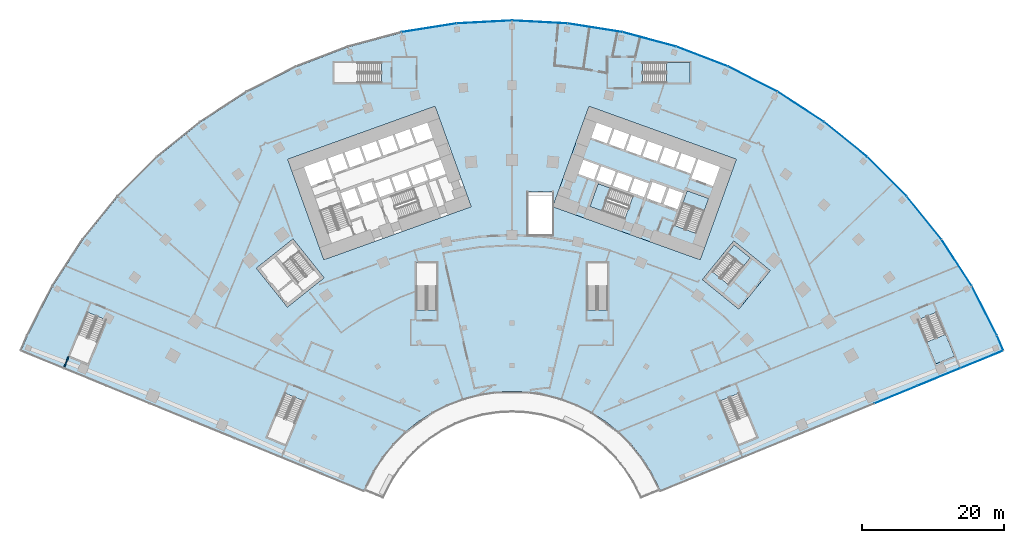
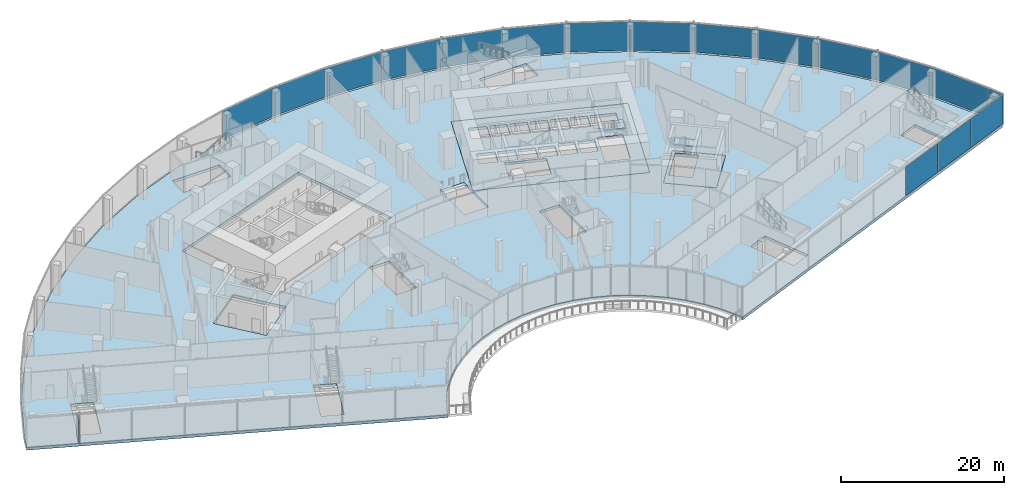
# One storey, part 20 of 40: 17 plates, 8 slabs, 1 wall, 7 elements without a shape of their own.
"""IFC4 building model written with IfcOpenShell, lengths in metres."""

from ifc_helpers import new_model, si_unit, direction, frame, frame_2d, origin, origin_2d, place, context, subcontext, project, spatial, polyline, rectangle, outline, extrude, material, layer, layer_set, type_object, element, aggregate, save


model = new_model("IFC4")

# Units and contexts
model_context = context("Model", 3, precision=1e-05, world=origin(), true_north=direction((0.0, 1.0)))
body_context = subcontext(model_context, "Body", "Model", "MODEL_VIEW")
ifc_project = project(units=[si_unit("LENGTHUNIT", "METRE"), si_unit("AREAUNIT", "SQUARE_METRE"), si_unit("VOLUMEUNIT", "CUBIC_METRE"), si_unit("PLANEANGLEUNIT", "RADIAN"), si_unit("MASSUNIT", "GRAM", prefix="KILO")], contexts=[model_context])

# Site, building, storey
site_placement = place(None, origin())
site = spatial("IfcSite", under=ifc_project, at=site_placement, CompositionType="ELEMENT")
building_placement = place(site_placement, origin())
building = spatial("IfcBuilding", under=site, at=building_placement, Name="Stone Belt Terrace Tower", CompositionType="ELEMENT")
storey_placement = place(building_placement, frame((0.0, 0.0, 11.60009765625)))
storey = spatial("IfcBuildingStorey", under=building, at=storey_placement, Name="L02", CompositionType="ELEMENT", Elevation=11.60009765625)

# Curtain wall, plates
ifc_material_1 = material(Name="Aluminium 6063-T6 anodised frame", Category="aluminium")
ifc_layer_1 = layer(ifc_material_1, 0.14990234375)
ifc_layer_set_1 = layer_set([ifc_layer_1], Name="CW-D podium shopfront")
curtain_wall_type = type_object("IfcCurtainWallType", Name="CW-D podium shopfront", PredefinedType="NOTDEFINED", material=ifc_layer_set_1)
curtain_wall_1_placement = place(storey_placement, origin())
curtain_wall_1 = element("IfcCurtainWall", 1, at=curtain_wall_1_placement, inside=storey, type_object=curtain_wall_type, Name="CW-D end face L02", PredefinedType="NOTDEFINED")
ifc_material_2 = material(Name="Clear double glazed unit")
ifc_layer_2 = layer(ifc_material_2, 0.031982421875)
ifc_layer_set_2 = layer_set([ifc_layer_2], Name="CW-D glass panel 32")
plate_type = type_object("IfcPlateType", Name="CW-D glass panel 32", PredefinedType="CURTAIN_PANEL", material=ifc_layer_set_2)
plate_1_placement = place(storey_placement, frame((53.927001953125, 22.021484375, 0.1396484375), z_axis=(0.0, 0.0, 1.0), x_axis=(0.925297074342, 0.379243093825, 0.0)))
plate_1 = element("IfcPlate", 2, at=plate_1_placement, type_object=plate_type, Name="CW-D panel 6.1", PredefinedType="CURTAIN_PANEL", context=body_context, shape_type="SweptSolid", body=[
    extrude(rectangle(XDim=6.43994140625, YDim=0.031982421875, at=origin_2d()), origin(), (0.0, 0.0, 1.0), 4.320068359375),
])
plate_2_placement = place(storey_placement, frame((59.94140625, 24.486572265625, 0.1396484375), z_axis=(0.0, 0.0, 1.0), x_axis=(0.925297074342, 0.379243093825, 0.0)))
plate_2 = element("IfcPlate", 3, at=plate_2_placement, type_object=plate_type, Name="CW-D panel 7.1", PredefinedType="CURTAIN_PANEL", context=body_context, shape_type="SweptSolid", body=[
    extrude(rectangle(XDim=6.43994140625, YDim=0.031982421875, at=origin_2d()), origin(), (0.0, 0.0, 1.0), 4.320068359375),
])
plate_3_placement = place(storey_placement, frame((65.970458984375, 26.957763671875, 0.1396484375), z_axis=(0.0, 0.0, 1.0), x_axis=(0.925297074342, 0.379243093825, 0.0)))
plate_3 = element("IfcPlate", 4, at=plate_3_placement, type_object=plate_type, Name="CW-D panel 8.1", PredefinedType="CURTAIN_PANEL", context=body_context, shape_type="SweptSolid", body=[
    extrude(rectangle(XDim=6.4716796875, YDim=0.031982421875, at=origin_2d()), origin(), (0.0, 0.0, 1.0), 4.320068359375),
])
aggregate(curtain_wall_1, [plate_1, plate_2, plate_3])

curtain_wall_2_placement = place(storey_placement, origin())
curtain_wall_2 = element("IfcCurtainWall", 5, at=curtain_wall_2_placement, inside=storey, type_object=curtain_wall_type, Name="CW-D convex face L02", PredefinedType="NOTDEFINED")
plate_4_placement = place(storey_placement, frame((68.572021484375, 29.292724609375, 0.1396484375), z_axis=(0.0, 0.0, 1.0), x_axis=(-0.393033792222, 0.919524028056, 0.0)))
plate_4 = element("IfcPlate", 6, at=plate_4_placement, type_object=plate_type, Name="CW-D panel 1.1", PredefinedType="CURTAIN_PANEL", context=body_context, shape_type="SweptSolid", body=[
    extrude(rectangle(XDim=2.19921875, YDim=0.031982421875, at=origin_2d()), origin(), (0.0, 0.0, 1.0), 4.320068359375),
])
plate_5_placement = place(storey_placement, frame((66.355712890625, 33.81005859375, 0.1396484375), z_axis=(0.0, 0.0, 1.0), x_axis=(-0.45399049974, 0.891006524188, 0.0)))
plate_5 = element("IfcPlate", 7, at=plate_5_placement, type_object=plate_type, Name="CW-D panel 2.1", PredefinedType="CURTAIN_PANEL", context=body_context, shape_type="SweptSolid", body=[
    extrude(rectangle(XDim=7.738037109375, YDim=0.031982421875, at=origin_2d()), origin(), (0.0, 0.0, 1.0), 4.320068359375),
])
plate_6_placement = place(storey_placement, frame((62.458251953125, 40.560791015625, 0.1396484375), z_axis=(0.0, 0.0, 1.0), x_axis=(-0.544639035015, 0.838670567945, 0.0)))
plate_6 = element("IfcPlate", 8, at=plate_6_placement, type_object=plate_type, Name="CW-D panel 3.1", PredefinedType="CURTAIN_PANEL", context=body_context, shape_type="SweptSolid", body=[
    extrude(rectangle(XDim=7.738037109375, YDim=0.031982421875, at=origin_2d()), origin(), (0.0, 0.0, 1.0), 4.320068359375),
])
plate_7_placement = place(storey_placement, frame((57.876220703125, 46.867431640625, 0.1396484375), z_axis=(0.0, 0.0, 1.0), x_axis=(-0.62932039105, 0.777145961457, 0.0)))
plate_7 = element("IfcPlate", 9, at=plate_7_placement, type_object=plate_type, Name="CW-D panel 4.1", PredefinedType="CURTAIN_PANEL", context=body_context, shape_type="SweptSolid", body=[
    extrude(rectangle(XDim=7.738037109375, YDim=0.031982421875, at=origin_2d()), origin(), (0.0, 0.0, 1.0), 4.320068359375),
])
plate_8_placement = place(storey_placement, frame((52.660400390625, 52.660400390625, 0.1396484375), z_axis=(0.0, 0.0, 1.0), x_axis=(-0.707106781187, 0.707106781187, 0.0)))
plate_8 = element("IfcPlate", 10, at=plate_8_placement, type_object=plate_type, Name="CW-D panel 5.1", PredefinedType="CURTAIN_PANEL", context=body_context, shape_type="SweptSolid", body=[
    extrude(rectangle(XDim=7.738037109375, YDim=0.031982421875, at=origin_2d()), origin(), (0.0, 0.0, 1.0), 4.320068359375),
])
plate_9_placement = place(storey_placement, frame((46.867431640625, 57.876220703125, 0.1396484375), z_axis=(0.0, 0.0, 1.0), x_axis=(-0.777145961457, 0.62932039105, 0.0)))
plate_9 = element("IfcPlate", 11, at=plate_9_placement, type_object=plate_type, Name="CW-D panel 6.1", PredefinedType="CURTAIN_PANEL", context=body_context, shape_type="SweptSolid", body=[
    extrude(rectangle(XDim=7.738037109375, YDim=0.031982421875, at=origin_2d()), origin(), (0.0, 0.0, 1.0), 4.320068359375),
])
plate_10_placement = place(storey_placement, frame((40.560791015625, 62.458251953125, 0.1396484375), z_axis=(0.0, 0.0, 1.0), x_axis=(-0.838670567945, 0.544639035015, 0.0)))
plate_10 = element("IfcPlate", 12, at=plate_10_placement, type_object=plate_type, Name="CW-D panel 7.1", PredefinedType="CURTAIN_PANEL", context=body_context, shape_type="SweptSolid", body=[
    extrude(rectangle(XDim=7.738037109375, YDim=0.031982421875, at=origin_2d()), origin(), (0.0, 0.0, 1.0), 4.320068359375),
])
plate_11_placement = place(storey_placement, frame((33.81005859375, 66.35595703125, 0.1396484375), z_axis=(0.0, 0.0, 1.0), x_axis=(-0.891006524188, 0.45399049974, 0.0)))
plate_11 = element("IfcPlate", 13, at=plate_11_placement, type_object=plate_type, Name="CW-D panel 8.1", PredefinedType="CURTAIN_PANEL", context=body_context, shape_type="SweptSolid", body=[
    extrude(rectangle(XDim=7.738037109375, YDim=0.031982421875, at=origin_2d()), origin(), (0.0, 0.0, 1.0), 4.320068359375),
])
plate_12_placement = place(storey_placement, frame((26.688720703125, 69.5263671875, 0.1396484375), z_axis=(0.0, 0.0, 1.0), x_axis=(-0.933580426497, 0.358367949545, 0.0)))
plate_12 = element("IfcPlate", 14, at=plate_12_placement, type_object=plate_type, Name="CW-D panel 9.1", PredefinedType="CURTAIN_PANEL", context=body_context, shape_type="SweptSolid", body=[
    extrude(rectangle(XDim=7.738037109375, YDim=0.031982421875, at=origin_2d()), origin(), (0.0, 0.0, 1.0), 4.320068359375),
])
plate_13_placement = place(storey_placement, frame((19.27490234375, 71.935302734375, 0.1396484375), z_axis=(0.0, 0.0, 1.0), x_axis=(-0.965925826289, 0.258819045103, 0.0)))
plate_13 = element("IfcPlate", 15, at=plate_13_placement, type_object=plate_type, Name="CW-D panel 10.1", PredefinedType="CURTAIN_PANEL", context=body_context, shape_type="SweptSolid", body=[
    extrude(rectangle(XDim=7.738037109375, YDim=0.031982421875, at=origin_2d()), origin(), (0.0, 0.0, 1.0), 4.320068359375),
])
plate_14_placement = place(storey_placement, frame((11.650146484375, 73.555908203125, 0.1396484375), z_axis=(0.0, 0.0, 1.0), x_axis=(-0.987688340595, 0.15643446504, 0.0)))
plate_14 = element("IfcPlate", 16, at=plate_14_placement, type_object=plate_type, Name="CW-D panel 11.1", PredefinedType="CURTAIN_PANEL", context=body_context, shape_type="SweptSolid", body=[
    extrude(rectangle(XDim=7.738037109375, YDim=0.031982421875, at=origin_2d()), origin(), (0.0, 0.0, 1.0), 4.320068359375),
])
plate_15_placement = place(storey_placement, frame((3.897705078125, 74.370849609375, 0.1396484375), z_axis=(0.0, 0.0, 1.0), x_axis=(-0.998629534755, 0.052335956243, 0.0)))
plate_15 = element("IfcPlate", 17, at=plate_15_placement, type_object=plate_type, Name="CW-D panel 12.1", PredefinedType="CURTAIN_PANEL", context=body_context, shape_type="SweptSolid", body=[
    extrude(rectangle(XDim=7.738037109375, YDim=0.031982421875, at=origin_2d()), origin(), (0.0, 0.0, 1.0), 4.320068359375),
])
plate_16_placement = place(storey_placement, frame((-3.897705078125, 74.370849609375, 0.1396484375), z_axis=(0.0, 0.0, 1.0), x_axis=(-0.998629534755, -0.052335956243, 0.0)))
plate_16 = element("IfcPlate", 18, at=plate_16_placement, type_object=plate_type, Name="CW-D panel 13.1", PredefinedType="CURTAIN_PANEL", context=body_context, shape_type="SweptSolid", body=[
    extrude(rectangle(XDim=7.738037109375, YDim=0.031982421875, at=origin_2d()), origin(), (0.0, 0.0, 1.0), 4.320068359375),
])
plate_17_placement = place(storey_placement, frame((-11.650146484375, 73.555908203125, 0.1396484375), z_axis=(0.0, 0.0, 1.0), x_axis=(-0.987688340595, -0.15643446504, 0.0)))
plate_17 = element("IfcPlate", 19, at=plate_17_placement, type_object=plate_type, Name="CW-D panel 14.1", PredefinedType="CURTAIN_PANEL", context=body_context, shape_type="SweptSolid", body=[
    extrude(rectangle(XDim=7.738037109375, YDim=0.031982421875, at=origin_2d()), origin(), (0.0, 0.0, 1.0), 4.320068359375),
])
aggregate(curtain_wall_2, [plate_4, plate_5, plate_6, plate_7, plate_8, plate_9, plate_10, plate_11, plate_12, plate_13, plate_14, plate_15, plate_16, plate_17])

# Slabs
ifc_material_3 = material(Name="Concrete B40", Category="concrete")
ifc_layer_3 = layer(ifc_material_3, 0.39990234375)
ifc_layer_set_3 = layer_set([ifc_layer_3], Name="Core floor slab 400")
slab_type_1 = type_object("IfcSlabType", Name="Core floor slab 400", PredefinedType="FLOOR", material=ifc_layer_set_3)
slab_1_placement = place(storey_placement, frame((0.0, 0.0, -0.400146484375)))
element("IfcSlab", 20, at=slab_1_placement, inside=storey, type_object=slab_type_1, Name="Core B floor L02", PredefinedType="FLOOR", context=body_context, shape_type="SweptSolid", body=[
    extrude(outline(polyline([(26.43505859375, 40.968994140625), (31.513916015625, 55.0830078125), (10.81396484375, 62.531982421875), (5.735107421875, 48.4189453125), (26.43505859375, 40.968994140625)]), holes=[polyline([(12.10595703125, 51.652099609375), (16.998046875, 49.89208984375), (15.846923828125, 46.69189453125), (10.955078125, 48.452880859375), (12.10595703125, 51.652099609375)]), polyline([(19.239990234375, 51.68896484375), (18.5458984375, 49.760009765625), (16.52294921875, 50.488037109375), (17.217041015625, 52.4169921875), (19.239990234375, 51.68896484375)]), polyline([(16.239990234375, 50.589111328125), (14.169921875, 51.333984375), (14.864013671875, 53.262939453125), (16.93408203125, 52.51806640625), (16.239990234375, 50.589111328125)]), polyline([(14.58203125, 53.364990234375), (13.887939453125, 51.43603515625), (11.864990234375, 52.1640625), (11.847900390625, 52.116943359375), (11.801025390625, 52.134033203125), (12.511962890625, 54.110107421875), (14.58203125, 53.364990234375)]), polyline([(9.30810546875, 53.031005859375), (10.01904296875, 55.007080078125), (12.22998046875, 54.2109375), (11.51904296875, 52.235107421875), (9.30810546875, 53.031005859375)]), polyline([(16.743896484375, 58.485107421875), (18.81396484375, 57.739990234375), (18.052001953125, 55.623046875), (15.98193359375, 56.367919921875), (16.743896484375, 58.485107421875)]), polyline([(14.39111328125, 59.33203125), (16.4609375, 58.5869140625), (15.699951171875, 56.469970703125), (13.6298828125, 57.215087890625), (14.39111328125, 59.33203125)]), polyline([(11.89794921875, 60.22900390625), (14.10888671875, 59.43408203125), (13.346923828125, 57.31591796875), (11.135986328125, 58.112060546875), (11.89794921875, 60.22900390625)]), polyline([(25.85888671875, 44.68408203125), (22.847900390625, 45.76806640625), (24.60791015625, 50.659912109375), (27.618896484375, 49.575927734375), (25.85888671875, 44.68408203125)]), polyline([(21.27392578125, 48.778076171875), (22.0869140625, 51.035888671875), (24.06298828125, 50.324951171875), (23.25, 48.06689453125), (21.27392578125, 48.778076171875)]), polyline([(18.922119140625, 49.6240234375), (19.735107421875, 51.883056640625), (21.7109375, 51.1708984375), (20.89794921875, 48.9130859375), (18.922119140625, 49.6240234375)]), polyline([(29.2109375, 53.9990234375), (28.24609375, 51.31689453125), (25.18798828125, 52.41796875), (26.153076171875, 55.09912109375), (29.2109375, 53.9990234375)]), polyline([(23.801025390625, 55.946044921875), (25.87109375, 55.200927734375), (25.10888671875, 53.083984375), (23.0390625, 53.8291015625), (23.801025390625, 55.946044921875)]), polyline([(21.447998046875, 56.7919921875), (23.51806640625, 56.047119140625), (22.756103515625, 53.929931640625), (20.68603515625, 54.675048828125), (21.447998046875, 56.7919921875)]), polyline([(19.095947265625, 57.638916015625), (21.166015625, 56.89404296875), (20.404052734375, 54.777099609375), (18.333984375, 55.52197265625), (19.095947265625, 57.638916015625)])]), origin(), (0.0, 0.0, 1.0), 0.400146484375),
])
slab_2_placement = place(storey_placement, frame((0.0, 0.0, -0.400146484375)))
element("IfcSlab", 21, at=slab_2_placement, inside=storey, type_object=slab_type_1, Name="Exit stair ST3B floor L02", PredefinedType="FLOOR", context=body_context, shape_type="SweptSolid", body=[
    extrude(outline(polyline([(26.741943359375, 38.18408203125), (31.866943359375, 34.02392578125), (36.278076171875, 39.458984375), (31.154052734375, 43.618896484375), (26.741943359375, 38.18408203125)]), holes=[polyline([(30.407958984375, 37.462890625), (28.156005859375, 39.291015625), (31.2119140625, 43.055908203125), (33.464111328125, 41.22802734375), (30.407958984375, 37.462890625)])]), origin(), (0.0, 0.0, 1.0), 0.400146484375),
])
ifc_layer_4 = layer(ifc_material_3, 0.39990234375)
ifc_layer_set_4 = layer_set([ifc_layer_4], Name="Floor slab 400 B40")
slab_type_2 = type_object("IfcSlabType", Name="Floor slab 400 B40", PredefinedType="FLOOR", material=ifc_layer_set_4)
slab_3_placement = place(storey_placement, frame((0.0, 0.0, -0.400146484375)))
element("IfcSlab", 22, at=slab_3_placement, inside=storey, type_object=slab_type_2, Name="Floor slab L02", PredefinedType="FLOOR", context=body_context, shape_type="SweptSolid", body=[
    extrude(outline(polyline([(0.0, 74.5), (7.787353515625, 74.091796875), (15.489501953125, 72.8720703125), (23.021728515625, 70.853759765625), (30.302001953125, 68.05908203125), (37.25, 64.518798828125), (43.7900390625, 60.271728515625), (49.85009765625, 55.3642578125), (55.3642578125, 49.85009765625), (60.271728515625, 43.7900390625), (64.518798828125, 37.25), (68.05908203125, 30.302001953125), (68.9345703125, 28.253662109375), (20.819091796875, 8.532958984375), (20.5546875, 9.151611328125), (19.485595703125, 11.25), (18.202880859375, 13.22509765625), (16.720703125, 15.055419921875), (15.055419921875, 16.720703125), (13.22509765625, 18.202880859375), (11.25, 19.485595703125), (9.151611328125, 20.5546875), (6.952880859375, 21.398681640625), (4.677978515625, 22.00830078125), (2.351806640625, 22.376708984375), (0.0, 22.5), (-2.351806640625, 22.376708984375), (-4.677978515625, 22.00830078125), (-6.952880859375, 21.398681640625), (-9.151611328125, 20.5546875), (-11.25, 19.485595703125), (-13.22509765625, 18.202880859375), (-15.055419921875, 16.720703125), (-16.720703125, 15.055419921875), (-18.202880859375, 13.22509765625), (-19.485595703125, 11.25), (-20.5546875, 9.151611328125), (-20.819091796875, 8.532958984375), (-68.9345703125, 28.253662109375), (-68.05908203125, 30.302001953125), (-64.518798828125, 37.25), (-60.271728515625, 43.7900390625), (-55.3642578125, 49.85009765625), (-49.85009765625, 55.3642578125), (-43.7900390625, 60.271728515625), (-37.25, 64.518798828125), (-30.302001953125, 68.05908203125), (-23.021728515625, 70.853759765625), (-15.489501953125, 72.8720703125), (-7.787353515625, 74.091796875), (0.0, 74.5)]), holes=[polyline([(-5.734619140625, 48.418701171875), (-10.81396484375, 62.532470703125), (-31.51416015625, 55.082763671875), (-26.434814453125, 40.968994140625), (-5.734619140625, 48.418701171875)]), polyline([(5.734619140625, 48.418701171875), (26.434814453125, 40.968994140625), (31.51416015625, 55.082763671875), (10.81396484375, 62.532470703125), (5.734619140625, 48.418701171875)]), polyline([(-29.243896484375, 21.135986328125), (-31.881103515625, 22.217041015625), (-34.407958984375, 16.051025390625), (-31.77099609375, 14.969970703125), (-29.243896484375, 21.135986328125)]), polyline([(-59.530029296875, 26.347900390625), (-57.0029296875, 32.513916015625), (-59.639892578125, 33.594970703125), (-62.1669921875, 27.427978515625), (-59.530029296875, 26.347900390625)]), polyline([(31.77099609375, 14.969970703125), (34.407958984375, 16.051025390625), (31.881103515625, 22.217041015625), (29.243896484375, 21.135986328125), (31.77099609375, 14.969970703125)]), polyline([(57.0029296875, 32.513916015625), (59.530029296875, 26.347900390625), (62.1669921875, 27.427978515625), (59.639892578125, 33.594970703125), (57.0029296875, 32.513916015625)]), polyline([(-13.425048828125, 33.89306640625), (-10.574951171875, 33.89306640625), (-10.574951171875, 40.556884765625), (-13.425048828125, 40.556884765625), (-13.425048828125, 33.89306640625)]), polyline([(10.574951171875, 40.556884765625), (10.574951171875, 33.89306640625), (13.425048828125, 33.89306640625), (13.425048828125, 40.556884765625), (10.574951171875, 40.556884765625)]), polyline([(-25.007080078125, 68.675048828125), (-25.007080078125, 65.824951171875), (-18.343017578125, 65.824951171875), (-18.343017578125, 68.675048828125), (-25.007080078125, 68.675048828125)]), polyline([(18.343017578125, 65.824951171875), (25.007080078125, 65.824951171875), (25.007080078125, 68.675048828125), (18.343017578125, 68.675048828125), (18.343017578125, 65.824951171875)]), polyline([(2.300048828125, 44.5), (5.699951171875, 44.5), (5.699951171875, 50.5), (2.300048828125, 50.5), (2.300048828125, 44.5)]), polyline([(-35.91796875, 39.787353515625), (-31.55615234375, 34.3125), (-26.39404296875, 38.425048828125), (-30.756103515625, 43.89990234375), (-35.91796875, 39.787353515625)]), polyline([(36.2783203125, 39.459228515625), (31.15380859375, 43.61865234375), (26.742431640625, 38.18359375), (31.86669921875, 34.024169921875), (36.2783203125, 39.459228515625)])]), origin(), (0.0, 0.0, 1.0), 0.400146484375),
])

# Stair, slab
ifc_material_4 = material(Name="Concrete B30", Category="concrete")
stair_type_1 = type_object("IfcStairType", Name="Podium stair concrete B30", PredefinedType="HALF_TURN_STAIR", material=ifc_material_4)
stair_1_placement = place(storey_placement, origin())
stair_1 = element("IfcStair", 23, at=stair_1_placement, inside=storey, type_object=stair_type_1, Name="L02 podium exit stair 4", PredefinedType="HALF_TURN_STAIR")
ifc_layer_5 = layer(ifc_material_4, 0.199951171875)
ifc_layer_set_5 = layer_set([ifc_layer_5], Name="Podium stair landing concrete B30")
slab_type_3 = type_object("IfcSlabType", Name="Podium stair landing concrete B30", PredefinedType="LANDING", material=ifc_layer_set_5)
slab_4_placement = place(storey_placement, frame((0.0, 0.0, 2.099853515625)))
slab_4 = element("IfcSlab", 24, at=slab_4_placement, type_object=slab_type_3, Name="PS4 landing 1", PredefinedType="LANDING", context=body_context, shape_type="SweptSolid", body=[
    extrude(outline(polyline([(58.274658203125, 29.410400390625), (59.531005859375, 26.3447265625), (62.168212890625, 27.425537109375), (60.91162109375, 30.4912109375), (58.274658203125, 29.410400390625)])), origin(), (0.0, 0.0, 1.0), 0.199951171875),
])
aggregate(stair_1, [slab_4])

stair_2_placement = place(storey_placement, origin())
stair_2 = element("IfcStair", 25, at=stair_2_placement, inside=storey, type_object=stair_type_1, Name="L02 podium exit stair 8", PredefinedType="HALF_TURN_STAIR")
slab_5_placement = place(storey_placement, frame((0.0, 0.0, 2.099853515625)))
slab_5 = element("IfcSlab", 26, at=slab_5_placement, type_object=slab_type_3, Name="PS8 landing 1", PredefinedType="LANDING", context=body_context, shape_type="SweptSolid", body=[
    extrude(outline(polyline([(21.697021484375, 65.824951171875), (25.010009765625, 65.824951171875), (25.010009765625, 68.675048828125), (21.697021484375, 68.675048828125), (21.697021484375, 65.824951171875)])), origin(), (0.0, 0.0, 1.0), 0.199951171875),
])
aggregate(stair_2, [slab_5])

stair_type_2 = type_object("IfcStairType", Name="Exit stair 1500", PredefinedType="HALF_TURN_STAIR", material=ifc_material_3)
stair_3_placement = place(storey_placement, origin())
stair_3 = element("IfcStair", 27, at=stair_3_placement, inside=storey, type_object=stair_type_2, Name="L02 Exit stair 1 core B", PredefinedType="HALF_TURN_STAIR")
ifc_layer_6 = layer(ifc_material_3, 0.199951171875)
ifc_layer_set_6 = layer_set([ifc_layer_6], Name="Stair landing 200")
slab_type_4 = type_object("IfcSlabType", Name="Stair landing 200", PredefinedType="LANDING", material=ifc_layer_set_6)
slab_6_placement = place(storey_placement, frame((0.0, 0.0, 2.099853515625)))
slab_6 = element("IfcSlab", 28, at=slab_6_placement, type_object=slab_type_4, Name="ST1B landing 1", PredefinedType="LANDING", context=body_context, shape_type="SweptSolid", body=[
    extrude(outline(polyline([(26.99609375, 47.84423828125), (27.619384765625, 49.576171875), (24.6083984375, 50.659912109375), (23.985107421875, 48.927734375), (26.99609375, 47.84423828125)])), origin(), (0.0, 0.0, 1.0), 0.199951171875),
])
aggregate(stair_3, [slab_6])

stair_4_placement = place(storey_placement, origin())
stair_4 = element("IfcStair", 29, at=stair_4_placement, inside=storey, type_object=stair_type_2, Name="L02 Exit stair 2 core B", PredefinedType="HALF_TURN_STAIR")
slab_7_placement = place(storey_placement, frame((0.0, 0.0, 2.099853515625)))
slab_7 = element("IfcSlab", 30, at=slab_7_placement, type_object=slab_type_4, Name="ST2B landing 1", PredefinedType="LANDING", context=body_context, shape_type="SweptSolid", body=[
    extrude(outline(polyline([(13.837890625, 51.02880859375), (12.10595703125, 51.652099609375), (10.95458984375, 48.453125), (12.6865234375, 47.82958984375), (13.837890625, 51.02880859375)])), origin(), (0.0, 0.0, 1.0), 0.199951171875),
])
aggregate(stair_4, [slab_7])

stair_5_placement = place(storey_placement, origin())
stair_5 = element("IfcStair", 31, at=stair_5_placement, inside=storey, type_object=stair_type_2, Name="L02 Exit stair 3B", PredefinedType="HALF_TURN_STAIR")
slab_8_placement = place(storey_placement, frame((0.0, 0.0, 2.099853515625)))
slab_8 = element("IfcSlab", 32, at=slab_8_placement, type_object=slab_type_4, Name="ST3B landing 1", PredefinedType="LANDING", context=body_context, shape_type="SweptSolid", body=[
    extrude(outline(polyline([(32.5244140625, 40.07080078125), (33.4638671875, 41.228271484375), (31.21240234375, 43.055908203125), (30.272705078125, 41.8984375), (32.5244140625, 40.07080078125)])), origin(), (0.0, 0.0, 1.0), 0.199951171875),
])
aggregate(stair_5, [slab_8])

# Wall
ifc_material_5 = material(Name="Gypsum board on steel stud partition", Category="steel")
ifc_layer_7 = layer(ifc_material_5, 0.14990234375)
ifc_layer_set_7 = layer_set([ifc_layer_7], Name="Podium partition 150")
wall_type = type_object("IfcWallType", Name="Podium partition 150", PredefinedType="PARTITIONING", material=ifc_layer_set_7)
wall_placement = place(storey_placement, frame((-62.93994140625, 25.800048828125, 0.0), z_axis=(0.0, 0.0, 1.0), x_axis=(0.377466142262, 0.926023386015, 0.0)))
element("IfcWall", 33, at=wall_placement, inside=storey, type_object=wall_type, Name="Podium partition 150", PredefinedType="PARTITIONING", context=body_context, shape_type="SweptSolid", body=[
    extrude(rectangle(XDim=1.6953125, YDim=0.14990234375, at=frame_2d((0.84765625, 0.0))), origin(), (0.0, 0.0, 1.0), 3.2998046875),
])

save(model, "model.ifc")
